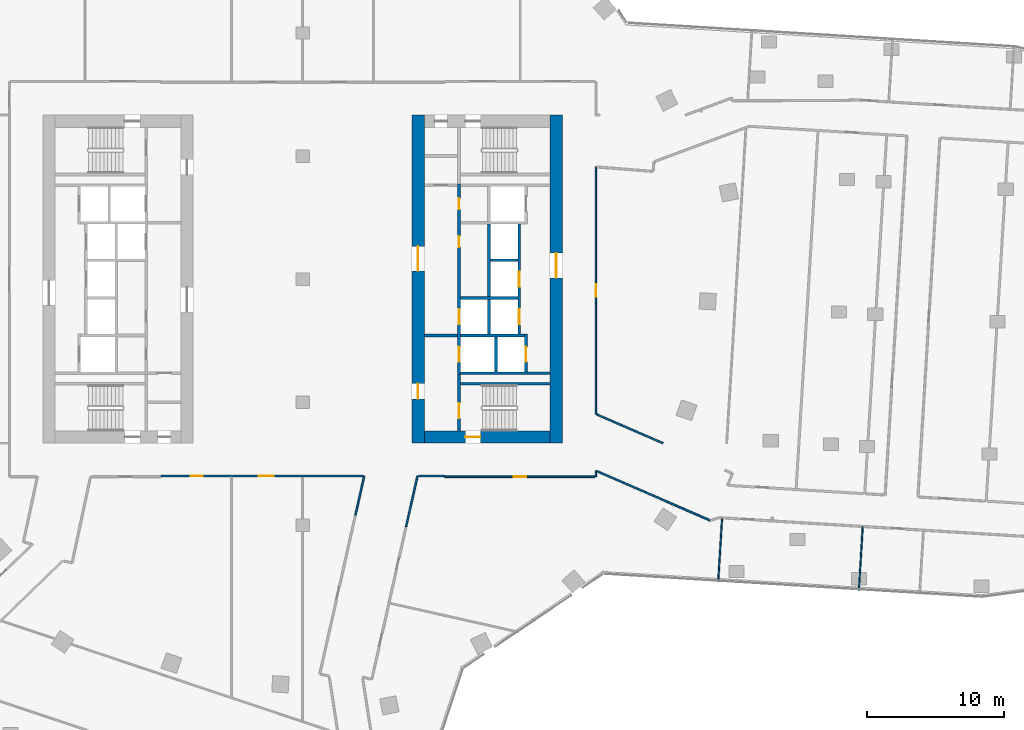
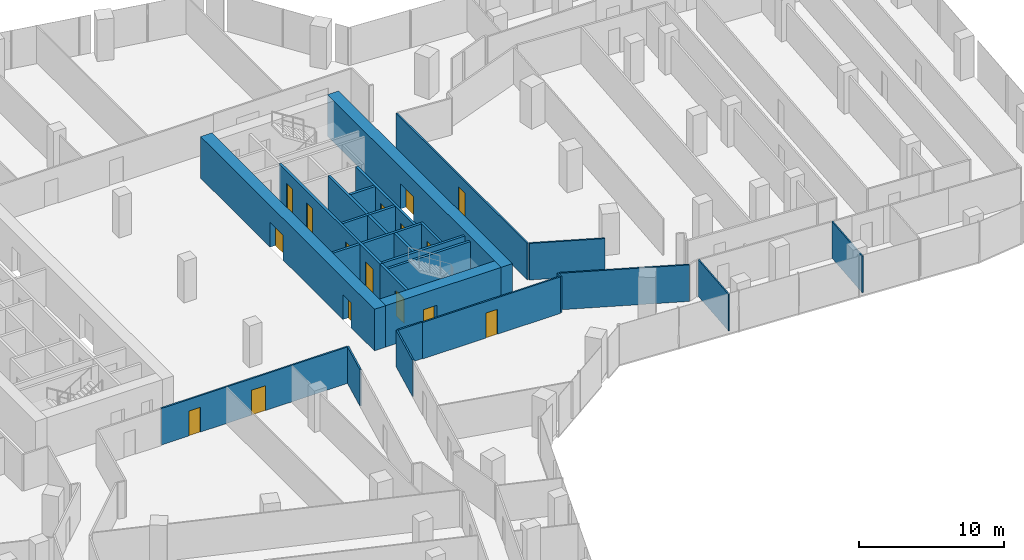
# One storey, part 24 of 32: 27 walls, 16 doors, 16 openings.
"""IFC4 building model written with IfcOpenShell, lengths in metres."""

from ifc_helpers import new_model, si_unit, direction, frame, frame_2d, origin, place, context, subcontext, project, spatial, rectangle, extrude, material, layer, layer_set, type_object, element, fill, save


model = new_model("IFC4")

# Units and contexts
model_context = context("Model", 3, precision=1e-05, world=origin(), true_north=direction((0.0, 1.0)))
body_context = subcontext(model_context, "Body", "Model", "MODEL_VIEW")
ifc_project = project(units=[si_unit("LENGTHUNIT", "METRE"), si_unit("AREAUNIT", "SQUARE_METRE"), si_unit("VOLUMEUNIT", "CUBIC_METRE"), si_unit("PLANEANGLEUNIT", "RADIAN"), si_unit("MASSUNIT", "GRAM", prefix="KILO")], contexts=[model_context])

# Site, building, storey
site_placement = place(None, origin())
site = spatial("IfcSite", under=ifc_project, at=site_placement, CompositionType="ELEMENT")
building_placement = place(site_placement, origin())
building = spatial("IfcBuilding", under=site, at=building_placement, Name="Orlundy Tower", CompositionType="ELEMENT")
storey_placement = place(building_placement, frame((0.0, 0.0, 149.10009765625)))
storey = spatial("IfcBuildingStorey", under=building, at=storey_placement, Name="L38", CompositionType="ELEMENT", Elevation=149.10009765625)

# Wall, opening, door
ifc_material_1 = material(Name="Concrete C70/85", Category="concrete")
ifc_layer_1 = layer(ifc_material_1, 0.89990234375)
ifc_layer_set_1 = layer_set([ifc_layer_1], Name="CORE WALL 900 C70/85")
wall_type_1 = type_object("IfcWallType", Name="CORE WALL 900 C70/85", PredefinedType="SHEAR", material=ifc_layer_set_1)
wall_1_placement = place(storey_placement, frame((8.89990234375, -11.550048828125, 0.0), z_axis=(0.0, 0.0, 1.0), x_axis=(1.0, 0.0, 0.0)))
wall_1 = element("IfcWall", 1, at=wall_1_placement, inside=storey, type_object=wall_type_1, Name="Core wall E-S L38", PredefinedType="SHEAR", context=body_context, shape_type="SweptSolid", body=[
    extrude(rectangle(XDim=9.2001953125, YDim=0.89990234375, at=frame_2d((4.60009765625, 0.0))), origin(), (0.0, 0.0, 1.0), 3.5),
])
opening_1_placement = place(wall_1_placement, frame((3.0, 0.0, 0.0)))
opening_1 = element("IfcOpeningElement", 2, at=opening_1_placement, cuts=wall_1, Name="Opening 29061", PredefinedType="OPENING", context=body_context, shape_type="SweptSolid", body=[
    extrude(rectangle(XDim=1.10009765625, YDim=2.10009765625, at=frame_2d((0.550048828125, 1.050048828125))), frame((0.0, 0.4599609375, 0.0), z_axis=(0.0, -1.0, 0.0), x_axis=(1.0, 0.0, 0.0)), (0.0, 0.0, 1.0), 0.919921875),
])
ifc_material_2 = material(Name="Steel door set", Category="steel")
door_type_1 = type_object("IfcDoorType", Name="Stair Door 1100x2100", OperationType="SINGLE_SWING_LEFT", PredefinedType="DOOR", material=ifc_material_2)
door_1_placement = place(opening_1_placement, origin())
door_1 = element("IfcDoor", 3, at=door_1_placement, inside=storey, type_object=door_type_1, Name="Stair door 29061", OperationType="SINGLE_SWING_LEFT", OverallHeight=2.10009765625, OverallWidth=1.10009765625, PredefinedType="DOOR", context=body_context, shape_type="SweptSolid", body=[
    extrude(rectangle(XDim=1.10009765625, YDim=2.10009765625, at=frame_2d((0.550048828125, 1.050048828125))), frame((0.0, 0.02490234375, 0.0), z_axis=(0.0, -1.0, 0.0), x_axis=(1.0, 0.0, 0.0)), (0.0, 0.0, 1.0), 0.050048828125),
])
fill(opening_1, door_1)

# Wall, openings, doors
wall_2_placement = place(storey_placement, frame((8.449951171875, -12.0, 0.0), z_axis=(0.0, 0.0, 1.0), x_axis=(0.0, 1.0, 0.0)))
wall_2 = element("IfcWall", 4, at=wall_2_placement, inside=storey, type_object=wall_type_1, Name="Core wall E-W L38", PredefinedType="SHEAR", context=body_context, shape_type="SweptSolid", body=[
    extrude(rectangle(XDim=24.0, YDim=0.89990234375, at=frame_2d((12.0, 0.0))), origin(), (0.0, 0.0, 1.0), 3.5),
])
opening_2_placement = place(wall_2_placement, frame((12.60009765625, 0.0, 0.0)))
opening_2 = element("IfcOpeningElement", 5, at=opening_2_placement, cuts=wall_2, Name="Opening 29058", PredefinedType="OPENING", context=body_context, shape_type="SweptSolid", body=[
    extrude(rectangle(XDim=1.800048828125, YDim=2.10009765625, at=frame_2d((0.89990234375, 1.050048828125))), frame((0.0, 0.4599609375, 0.0), z_axis=(0.0, -1.0, 0.0), x_axis=(1.0, 0.0, 0.0)), (0.0, 0.0, 1.0), 0.919921875),
])
opening_3_placement = place(wall_2_placement, frame((3.25, 0.0, 0.0)))
opening_3 = element("IfcOpeningElement", 6, at=opening_3_placement, cuts=wall_2, Name="Opening 29060", PredefinedType="OPENING", context=body_context, shape_type="SweptSolid", body=[
    extrude(rectangle(XDim=1.10009765625, YDim=2.10009765625, at=frame_2d((0.550048828125, 1.050048828125))), frame((0.0, 0.4599609375, 0.0), z_axis=(0.0, -1.0, 0.0), x_axis=(1.0, 0.0, 0.0)), (0.0, 0.0, 1.0), 0.919921875),
])
ifc_material_3 = material(Name="Steel door set", Category="steel")
door_type_2 = type_object("IfcDoorType", Name="Fire-fighting Lobby Door 1100x2100", OperationType="SINGLE_SWING_LEFT", PredefinedType="DOOR", material=ifc_material_3)
door_2_placement = place(opening_3_placement, origin())
door_2 = element("IfcDoor", 7, at=door_2_placement, inside=storey, type_object=door_type_2, Name="Fire-fighting lobby door 29060", OperationType="SINGLE_SWING_LEFT", OverallHeight=2.10009765625, OverallWidth=1.10009765625, PredefinedType="DOOR", context=body_context, shape_type="SweptSolid", body=[
    extrude(rectangle(XDim=1.10009765625, YDim=2.10009765625, at=frame_2d((0.550048828125, 1.050048828125))), frame((0.0, 0.02490234375, 0.0), z_axis=(0.0, -1.0, 0.0), x_axis=(1.0, 0.0, 0.0)), (0.0, 0.0, 1.0), 0.050048828125),
])
fill(opening_3, door_2)
ifc_material_4 = material(Name="Timber door set", Category="wood")
door_type_3 = type_object("IfcDoorType", Name="Lobby Door 1800x2100", OperationType="DOUBLE_DOOR_DOUBLE_SWING", PredefinedType="DOOR", material=ifc_material_4)
door_3_placement = place(opening_2_placement, origin())
door_3 = element("IfcDoor", 8, at=door_3_placement, inside=storey, type_object=door_type_3, Name="Lift lobby door 29058", OperationType="SINGLE_SWING_RIGHT", OverallHeight=2.10009765625, OverallWidth=1.800048828125, PredefinedType="DOOR", context=body_context, shape_type="SweptSolid", body=[
    extrude(rectangle(XDim=1.800048828125, YDim=2.10009765625, at=frame_2d((0.89990234375, 1.050048828125))), frame((0.0, 0.02490234375, 0.0), z_axis=(0.0, -1.0, 0.0), x_axis=(1.0, 0.0, 0.0)), (0.0, 0.0, 1.0), 0.050048828125),
])
fill(opening_2, door_3)

# Wall, opening, door
wall_3_placement = place(storey_placement, frame((18.550048828125, -12.0, 0.0), z_axis=(0.0, 0.0, 1.0), x_axis=(0.0, 1.0, 0.0)))
wall_3 = element("IfcWall", 9, at=wall_3_placement, inside=storey, type_object=wall_type_1, Name="Core wall E-E L38", PredefinedType="SHEAR", context=body_context, shape_type="SweptSolid", body=[
    extrude(rectangle(XDim=24.0, YDim=0.89990234375, at=frame_2d((12.0, 0.0))), origin(), (0.0, 0.0, 1.0), 3.5),
])
opening_4_placement = place(wall_3_placement, frame((12.10009765625, 0.0, 0.0)))
opening_4 = element("IfcOpeningElement", 10, at=opening_4_placement, cuts=wall_3, Name="Opening 29059", PredefinedType="OPENING", context=body_context, shape_type="SweptSolid", body=[
    extrude(rectangle(XDim=1.800048828125, YDim=2.10009765625, at=frame_2d((0.89990234375, 1.050048828125))), frame((0.0, 0.4599609375, 0.0), z_axis=(0.0, -1.0, 0.0), x_axis=(1.0, 0.0, 0.0)), (0.0, 0.0, 1.0), 0.919921875),
])
door_4_placement = place(opening_4_placement, origin())
door_4 = element("IfcDoor", 11, at=door_4_placement, inside=storey, type_object=door_type_3, Name="Lift lobby door 29059", OperationType="SINGLE_SWING_RIGHT", OverallHeight=2.10009765625, OverallWidth=1.800048828125, PredefinedType="DOOR", context=body_context, shape_type="SweptSolid", body=[
    extrude(rectangle(XDim=1.800048828125, YDim=2.10009765625, at=frame_2d((0.89990234375, 1.050048828125))), frame((0.0, 0.02490234375, 0.0), z_axis=(0.0, -1.0, 0.0), x_axis=(1.0, 0.0, 0.0)), (0.0, 0.0, 1.0), 0.050048828125),
])
fill(opening_4, door_4)

# Walls
ifc_material_5 = material(Name="Gypsum board partition")
ifc_layer_2 = layer(ifc_material_5, 0.10009765625)
ifc_layer_set_2 = layer_set([ifc_layer_2], Name="Floor partition 100")
wall_type_2 = type_object("IfcWallType", Name="Floor partition 100", PredefinedType="PARTITIONING", material=ifc_layer_set_2)
wall_4_placement = place(storey_placement, frame((40.68603515625, -22.77587890625, 0.0), z_axis=(0.0, 0.0, 1.0), x_axis=(0.060923886766, 0.998142414699, 0.0)))
element("IfcWall", 12, at=wall_4_placement, inside=storey, type_object=wall_type_2, Name="wall-int-L38-093", PredefinedType="PARTITIONING", context=body_context, shape_type="SweptSolid", body=[
    extrude(rectangle(XDim=4.692626953125, YDim=0.10009765625, at=frame_2d((2.34619140625, 0.0))), origin(), (0.0, 0.0, 1.0), 3.079833984375),
])
wall_5_placement = place(storey_placement, frame((30.39794921875, -22.14697265625, 0.0), z_axis=(0.0, 0.0, 1.0), x_axis=(0.060972554319, 0.998139442974, 0.0)))
element("IfcWall", 13, at=wall_5_placement, inside=storey, type_object=wall_type_2, Name="wall-int-L38-097", PredefinedType="PARTITIONING", context=body_context, shape_type="SweptSolid", body=[
    extrude(rectangle(XDim=4.69287109375, YDim=0.10009765625, at=frame_2d((2.346435546875, 0.0))), origin(), (0.0, 0.0, 1.0), 3.079833984375),
])
ifc_material_6 = material(Name="Gypsum board partition, double layer")
ifc_layer_3 = layer(ifc_material_6, 0.125)
ifc_layer_set_3 = layer_set([ifc_layer_3], Name="Floor partition 125")
wall_type_3 = type_object("IfcWallType", Name="Floor partition 125", PredefinedType="PARTITIONING", material=ifc_layer_set_3)
wall_6_placement = place(storey_placement, frame((21.537109375, -14.050048828125, 0.0), z_axis=(0.0, 0.0, 1.0), x_axis=(0.916891955624, -0.399135492924, 0.0)))
element("IfcWall", 14, at=wall_6_placement, inside=storey, type_object=wall_type_3, Name="wall-int-L38-006", PredefinedType="PARTITIONING", context=body_context, shape_type="SweptSolid", body=[
    extrude(rectangle(XDim=9.027099609375, YDim=0.125, at=frame_2d((4.513671875, 0.0))), origin(), (0.0, 0.0, 1.0), 3.079833984375),
])
wall_7_placement = place(storey_placement, frame((21.537109375, -9.905029296875, 0.0), z_axis=(0.0, 0.0, 1.0), x_axis=(0.916934710252, -0.39903726284, 0.0)))
element("IfcWall", 15, at=wall_7_placement, inside=storey, type_object=wall_type_3, Name="wall-int-L38-007", PredefinedType="PARTITIONING", context=body_context, shape_type="SweptSolid", body=[
    extrude(rectangle(XDim=5.25, YDim=0.125, at=frame_2d((2.625, 0.0))), origin(), (0.0, 0.0, 1.0), 3.079833984375),
])

# Wall, opening, door
wall_8_placement = place(storey_placement, frame((21.386962890625, -14.450927734375, 0.0), z_axis=(0.0, 0.0, 1.0), x_axis=(-1.0, 0.0, 0.0)))
wall_8 = element("IfcWall", 16, at=wall_8_placement, inside=storey, type_object=wall_type_3, Name="wall-int-L38-048", PredefinedType="PARTITIONING", context=body_context, shape_type="SweptSolid", body=[
    extrude(rectangle(XDim=10.995849609375, YDim=0.125, at=frame_2d((5.498046875, 0.0))), origin(), (0.0, 0.0, 1.0), 3.079833984375),
])
opening_5_placement = place(wall_8_placement, frame((5.03759765625, 0.0, 0.0)))
opening_5 = element("IfcOpeningElement", 17, at=opening_5_placement, cuts=wall_8, Name="Opening 29129", PredefinedType="OPENING", context=body_context, shape_type="SweptSolid", body=[
    extrude(rectangle(XDim=0.89990234375, YDim=2.10009765625, at=frame_2d((0.449951171875, 1.050048828125))), frame((0.0, 0.072509765625, 0.0), z_axis=(0.0, -1.0, 0.0), x_axis=(1.0, 0.0, 0.0)), (0.0, 0.0, 1.0), 0.14501953125),
])
ifc_material_7 = material(Name="Timber door leaf", Category="wood")
door_type_4 = type_object("IfcDoorType", Name="Floor door single 900 FD30S", OperationType="NOTDEFINED", PredefinedType="DOOR", material=ifc_material_7)
door_5_placement = place(opening_5_placement, origin())
door_5 = element("IfcDoor", 18, at=door_5_placement, inside=storey, type_object=door_type_4, Name="Door 29129", OperationType="SINGLE_SWING_LEFT", OverallHeight=2.10009765625, OverallWidth=0.89990234375, PredefinedType="DOOR", context=body_context, shape_type="SweptSolid", body=[
    extrude(rectangle(XDim=0.89990234375, YDim=2.10009765625, at=frame_2d((0.449951171875, 1.050048828125))), frame((0.0, 0.02490234375, 0.0), z_axis=(0.0, -1.0, 0.0), x_axis=(1.0, 0.0, 0.0)), (0.0, 0.0, 1.0), 0.050048828125),
])
fill(opening_5, door_5)

# Wall, openings, doors
wall_9_placement = place(storey_placement, frame((4.427001953125, -14.40087890625, 0.0), z_axis=(0.0, 0.0, 1.0), x_axis=(-1.0, 0.0, 0.0)))
wall_9 = element("IfcWall", 19, at=wall_9_placement, inside=storey, type_object=wall_type_3, Name="wall-int-L38-049", PredefinedType="PARTITIONING", context=body_context, shape_type="SweptSolid", body=[
    extrude(rectangle(XDim=14.81689453125, YDim=0.125, at=frame_2d((7.408447265625, 0.0))), origin(), (0.0, 0.0, 1.0), 3.079833984375),
])
opening_6_placement = place(wall_9_placement, frame((11.721923828125, 0.0, 0.0)))
opening_6 = element("IfcOpeningElement", 20, at=opening_6_placement, cuts=wall_9, Name="Opening 29124", PredefinedType="OPENING", context=body_context, shape_type="SweptSolid", body=[
    extrude(rectangle(XDim=0.89990234375, YDim=2.10009765625, at=frame_2d((0.449951171875, 1.050048828125))), frame((0.0, 0.072509765625, 0.0), z_axis=(0.0, -1.0, 0.0), x_axis=(1.0, 0.0, 0.0)), (0.0, 0.0, 1.0), 0.14501953125),
])
opening_7_placement = place(wall_9_placement, frame((6.52685546875, 0.0, 0.0)))
opening_7 = element("IfcOpeningElement", 21, at=opening_7_placement, cuts=wall_9, Name="Opening 29125", PredefinedType="OPENING", context=body_context, shape_type="SweptSolid", body=[
    extrude(rectangle(XDim=1.10009765625, YDim=2.10009765625, at=frame_2d((0.550048828125, 1.050048828125))), frame((0.0, 0.072509765625, 0.0), z_axis=(0.0, -1.0, 0.0), x_axis=(1.0, 0.0, 0.0)), (0.0, 0.0, 1.0), 0.14501953125),
])
door_6_placement = place(opening_6_placement, origin())
door_6 = element("IfcDoor", 22, at=door_6_placement, inside=storey, type_object=door_type_4, Name="Door 29124", OperationType="SINGLE_SWING_RIGHT", OverallHeight=2.10009765625, OverallWidth=0.89990234375, PredefinedType="DOOR", context=body_context, shape_type="SweptSolid", body=[
    extrude(rectangle(XDim=0.89990234375, YDim=2.10009765625, at=frame_2d((0.449951171875, 1.050048828125))), frame((0.0, 0.02490234375, 0.0), z_axis=(0.0, -1.0, 0.0), x_axis=(1.0, 0.0, 0.0)), (0.0, 0.0, 1.0), 0.050048828125),
])
fill(opening_6, door_6)
ifc_material_8 = material(Name="Timber door leaf", Category="wood")
door_type_5 = type_object("IfcDoorType", Name="Floor door xwide 1100 FD30S", OperationType="NOTDEFINED", PredefinedType="DOOR", material=ifc_material_8)
door_7_placement = place(opening_7_placement, origin())
door_7 = element("IfcDoor", 23, at=door_7_placement, inside=storey, type_object=door_type_5, Name="Door 29125", OperationType="SINGLE_SWING_LEFT", OverallHeight=2.10009765625, OverallWidth=1.10009765625, PredefinedType="DOOR", context=body_context, shape_type="SweptSolid", body=[
    extrude(rectangle(XDim=1.10009765625, YDim=2.10009765625, at=frame_2d((0.550048828125, 1.050048828125))), frame((0.0, 0.02490234375, 0.0), z_axis=(0.0, -1.0, 0.0), x_axis=(1.0, 0.0, 0.0)), (0.0, 0.0, 1.0), 0.050048828125),
])
fill(opening_7, door_7)

# Walls
wall_10_placement = place(storey_placement, frame((8.47900390625, -14.40087890625, 0.0), z_axis=(0.0, 0.0, 1.0), x_axis=(1.0, 0.0, 0.0)))
element("IfcWall", 24, at=wall_10_placement, inside=storey, type_object=wall_type_3, Name="wall-int-L38-050", PredefinedType="PARTITIONING", context=body_context, shape_type="SweptSolid", body=[
    extrude(rectangle(XDim=1.912109375, YDim=0.125, at=frame_2d((0.9560546875, 0.0))), origin(), (0.0, 0.0, 1.0), 3.079833984375),
])
wall_11_placement = place(storey_placement, frame((7.569091796875, -18.10693359375, 0.0), z_axis=(0.0, 0.0, 1.0), x_axis=(0.218992134919, 0.975726624031, 0.0)))
element("IfcWall", 25, at=wall_11_placement, inside=storey, type_object=wall_type_3, Name="wall-int-L38-079", PredefinedType="PARTITIONING", context=body_context, shape_type="SweptSolid", body=[
    extrude(rectangle(XDim=3.79833984375, YDim=0.125, at=frame_2d((1.899169921875, 0.0))), origin(), (0.0, 0.0, 1.0), 3.079833984375),
])
wall_12_placement = place(storey_placement, frame((3.860107421875, -17.27392578125, 0.0), z_axis=(0.0, 0.0, 1.0), x_axis=(0.218975515368, 0.975730353976, 0.0)))
element("IfcWall", 26, at=wall_12_placement, inside=storey, type_object=wall_type_3, Name="wall-int-L38-080", PredefinedType="PARTITIONING", context=body_context, shape_type="SweptSolid", body=[
    extrude(rectangle(XDim=2.944580078125, YDim=0.125, at=frame_2d((1.47216796875, 0.0))), origin(), (0.0, 0.0, 1.0), 3.079833984375),
])
wall_13_placement = place(storey_placement, frame((21.449951171875, -14.450927734375, 0.0), z_axis=(0.0, 0.0, 1.0), x_axis=(0.0, 1.0, 0.0)))
element("IfcWall", 27, at=wall_13_placement, inside=storey, type_object=wall_type_3, Name="wall-int-L38-102", PredefinedType="PARTITIONING", context=body_context, shape_type="SweptSolid", body=[
    extrude(rectangle(XDim=0.43896484375, YDim=0.125, at=frame_2d((0.219482421875, 0.0))), origin(), (0.0, 0.0, 1.0), 3.079833984375),
])

# Wall, opening, door
wall_14_placement = place(storey_placement, frame((21.449951171875, 8.2109375, 0.0), z_axis=(0.0, 0.0, 1.0), x_axis=(0.0, -1.0, 0.0)))
wall_14 = element("IfcWall", 28, at=wall_14_placement, inside=storey, type_object=wall_type_3, Name="wall-int-L38-103", PredefinedType="PARTITIONING", context=body_context, shape_type="SweptSolid", body=[
    extrude(rectangle(XDim=18.077880859375, YDim=0.125, at=frame_2d((9.0390625, 0.0))), origin(), (0.0, 0.0, 1.0), 3.079833984375),
])
opening_8_placement = place(wall_14_placement, frame((8.60009765625, 0.0, 0.0)))
opening_8 = element("IfcOpeningElement", 29, at=opening_8_placement, cuts=wall_14, Name="Opening 29130", PredefinedType="OPENING", context=body_context, shape_type="SweptSolid", body=[
    extrude(rectangle(XDim=0.89990234375, YDim=2.10009765625, at=frame_2d((0.449951171875, 1.050048828125))), frame((0.0, 0.072509765625, 0.0), z_axis=(0.0, -1.0, 0.0), x_axis=(1.0, 0.0, 0.0)), (0.0, 0.0, 1.0), 0.14501953125),
])
door_8_placement = place(opening_8_placement, origin())
door_8 = element("IfcDoor", 30, at=door_8_placement, inside=storey, type_object=door_type_4, Name="Door 29130", OperationType="SINGLE_SWING_RIGHT", OverallHeight=2.10009765625, OverallWidth=0.89990234375, PredefinedType="DOOR", context=body_context, shape_type="SweptSolid", body=[
    extrude(rectangle(XDim=0.89990234375, YDim=2.10009765625, at=frame_2d((0.449951171875, 1.050048828125))), frame((0.0, 0.02490234375, 0.0), z_axis=(0.0, -1.0, 0.0), x_axis=(1.0, 0.0, 0.0)), (0.0, 0.0, 1.0), 0.050048828125),
])
fill(opening_8, door_8)

ifc_material_9 = material(Name="Concrete C40/50", Category="concrete")
ifc_layer_4 = layer(ifc_material_9, 0.199951171875)
ifc_layer_set_4 = layer_set([ifc_layer_4], Name="Load-bearing Shaft Wall 200")
wall_type_4 = type_object("IfcWallType", Name="Load-bearing Shaft Wall 200", PredefinedType="SOLIDWALL", material=ifc_layer_set_4)
wall_15_placement = place(storey_placement, frame((11.43994140625, -6.97509765625, 0.0), z_axis=(0.0, 0.0, 1.0), x_axis=(0.0, -1.0, 0.0)))
wall_15 = element("IfcWall", 31, at=wall_15_placement, inside=storey, type_object=wall_type_4, Name="Shaft wall E29-stair-end-n", PredefinedType="SOLIDWALL", context=body_context, shape_type="SweptSolid", body=[
    extrude(rectangle(XDim=4.125, YDim=0.199951171875, at=frame_2d((2.0625, 0.0))), origin(), (0.0, 0.0, 1.0), 3.08984375),
])
opening_9_placement = place(wall_15_placement, frame((2.10009765625, 0.0, 0.0)))
opening_9 = element("IfcOpeningElement", 32, at=opening_9_placement, cuts=wall_15, Name="Opening 29063", PredefinedType="OPENING", context=body_context, shape_type="SweptSolid", body=[
    extrude(rectangle(XDim=1.10009765625, YDim=2.10009765625, at=frame_2d((0.550048828125, 1.050048828125))), frame((0.0, 0.110107421875, 0.0), z_axis=(0.0, -1.0, 0.0), x_axis=(1.0, 0.0, 0.0)), (0.0, 0.0, 1.0), 0.22021484375),
])
door_9_placement = place(opening_9_placement, origin())
door_9 = element("IfcDoor", 33, at=door_9_placement, inside=storey, type_object=door_type_2, Name="Fire-fighting lobby to stair door 29063", OperationType="SINGLE_SWING_RIGHT", OverallHeight=2.10009765625, OverallWidth=1.10009765625, PredefinedType="DOOR", context=body_context, shape_type="SweptSolid", body=[
    extrude(rectangle(XDim=1.10009765625, YDim=2.10009765625, at=frame_2d((0.550048828125, 1.050048828125))), frame((0.0, 0.02490234375, 0.0), z_axis=(0.0, -1.0, 0.0), x_axis=(1.0, 0.0, 0.0)), (0.0, 0.0, 1.0), 0.050048828125),
])
fill(opening_9, door_9)

# Walls
wall_16_placement = place(storey_placement, frame((11.5400390625, -7.64990234375, 0.0), z_axis=(0.0, 0.0, 1.0), x_axis=(1.0, 0.0, 0.0)))
element("IfcWall", 34, at=wall_16_placement, inside=storey, type_object=wall_type_4, Name="Shaft wall E29-stair-side-n", PredefinedType="SOLIDWALL", context=body_context, shape_type="SweptSolid", body=[
    extrude(rectangle(XDim=6.56005859375, YDim=0.199951171875, at=frame_2d((3.280029296875, 0.0))), origin(), (0.0, 0.0, 1.0), 3.08984375),
])
ifc_material_10 = material(Name="Gypsum board partition on steel studs", Category="steel")
ifc_layer_5 = layer(ifc_material_10, 0.199951171875)
ifc_layer_set_5 = layer_set([ifc_layer_5], Name="Partition 200")
wall_type_5 = type_object("IfcWallType", Name="Partition 200", PredefinedType="PARTITIONING", material=ifc_layer_set_5)
wall_17_placement = place(storey_placement, frame((8.89990234375, -4.125, 0.0), z_axis=(0.0, 0.0, 1.0), x_axis=(1.0, 0.0, 0.0)))
element("IfcWall", 35, at=wall_17_placement, inside=storey, type_object=wall_type_5, Name="Partition wall E29-lobby-n", PredefinedType="PARTITIONING", context=body_context, shape_type="SweptSolid", body=[
    extrude(rectangle(XDim=2.440185546875, YDim=0.199951171875, at=frame_2d((1.22021484375, 0.0))), origin(), (0.0, 0.0, 1.0), 3.08984375),
])
ifc_material_11 = material(Name="Fire-rated blockwork shaft wall", Category="masonry")
ifc_layer_6 = layer(ifc_material_11, 0.199951171875)
ifc_layer_set_6 = layer_set([ifc_layer_6], Name="Shaft Wall 200")
wall_type_6 = type_object("IfcWallType", Name="Shaft Wall 200", PredefinedType="SOLIDWALL", material=ifc_layer_set_6)
wall_18_placement = place(storey_placement, frame((11.5400390625, -6.875, 0.0), z_axis=(0.0, 0.0, 1.0), x_axis=(1.0, 0.0, 0.0)))
element("IfcWall", 36, at=wall_18_placement, inside=storey, type_object=wall_type_6, Name="Shaft wall E29-zone-n", PredefinedType="SOLIDWALL", context=body_context, shape_type="SweptSolid", body=[
    extrude(rectangle(XDim=6.56005859375, YDim=0.199951171875, at=frame_2d((3.280029296875, 0.0))), origin(), (0.0, 0.0, 1.0), 3.08984375),
])
wall_19_placement = place(storey_placement, frame((13.739990234375, 1.375, 0.0), z_axis=(0.0, 0.0, 1.0), x_axis=(1.0, 0.0, 0.0)))
element("IfcWall", 37, at=wall_19_placement, inside=storey, type_object=wall_type_6, Name="Shaft wall E29-cross-1.375", PredefinedType="SOLIDWALL", context=body_context, shape_type="SweptSolid", body=[
    extrude(rectangle(XDim=2.0, YDim=0.199951171875, at=frame_2d((1.0, 0.0))), origin(), (0.0, 0.0, 1.0), 3.08984375),
])
wall_20_placement = place(storey_placement, frame((11.5400390625, -1.375, 0.0), z_axis=(0.0, 0.0, 1.0), x_axis=(1.0, 0.0, 0.0)))
element("IfcWall", 38, at=wall_20_placement, inside=storey, type_object=wall_type_6, Name="Shaft wall E29-cross+1.375", PredefinedType="SOLIDWALL", context=body_context, shape_type="SweptSolid", body=[
    extrude(rectangle(XDim=4.199951171875, YDim=0.199951171875, at=frame_2d((2.10009765625, 0.0))), origin(), (0.0, 0.0, 1.0), 3.08984375),
])
wall_21_placement = place(storey_placement, frame((11.5400390625, -4.125, 0.0), z_axis=(0.0, 0.0, 1.0), x_axis=(1.0, 0.0, 0.0)))
element("IfcWall", 39, at=wall_21_placement, inside=storey, type_object=wall_type_6, Name="Shaft wall E29-cross+4.125", PredefinedType="SOLIDWALL", context=body_context, shape_type="SweptSolid", body=[
    extrude(rectangle(XDim=4.699951171875, YDim=0.199951171875, at=frame_2d((2.35009765625, 0.0))), origin(), (0.0, 0.0, 1.0), 3.08984375),
])

# Wall, openings, doors
wall_22_placement = place(storey_placement, frame((11.43994140625, 6.97509765625, 0.0), z_axis=(0.0, 0.0, 1.0), x_axis=(0.0, -1.0, 0.0)))
wall_22 = element("IfcWall", 40, at=wall_22_placement, inside=storey, type_object=wall_type_6, Name="Shaft wall E29-front-h", PredefinedType="SOLIDWALL", context=body_context, shape_type="SweptSolid", body=[
    extrude(rectangle(XDim=13.9501953125, YDim=0.199951171875, at=frame_2d((6.97509765625, 0.0))), origin(), (0.0, 0.0, 1.0), 3.08984375),
])
opening_10_placement = place(wall_22_placement, frame((9.175048828125, 0.0, 0.0)))
opening_10 = element("IfcOpeningElement", 41, at=opening_10_placement, cuts=wall_22, Name="Opening 29052", PredefinedType="OPENING", context=body_context, shape_type="SweptSolid", body=[
    extrude(rectangle(XDim=1.10009765625, YDim=2.10009765625, at=frame_2d((0.550048828125, 1.050048828125))), frame((0.0, 0.110107421875, 0.0), z_axis=(0.0, -1.0, 0.0), x_axis=(1.0, 0.0, 0.0)), (0.0, 0.0, 1.0), 0.22021484375),
])
opening_11_placement = place(wall_22_placement, frame((11.925048828125, 0.0, 0.0)))
opening_11 = element("IfcOpeningElement", 42, at=opening_11_placement, cuts=wall_22, Name="Opening 29054", PredefinedType="OPENING", context=body_context, shape_type="SweptSolid", body=[
    extrude(rectangle(XDim=1.10009765625, YDim=2.10009765625, at=frame_2d((0.550048828125, 1.050048828125))), frame((0.0, 0.110107421875, 0.0), z_axis=(0.0, -1.0, 0.0), x_axis=(1.0, 0.0, 0.0)), (0.0, 0.0, 1.0), 0.22021484375),
])
opening_12_placement = place(wall_22_placement, frame((1.074951171875, 0.0, 0.0)))
opening_12 = element("IfcOpeningElement", 43, at=opening_12_placement, cuts=wall_22, Name="Opening 29056", PredefinedType="OPENING", context=body_context, shape_type="SweptSolid", body=[
    extrude(rectangle(XDim=0.800048828125, YDim=2.10009765625, at=frame_2d((0.39990234375, 1.050048828125))), frame((0.0, 0.110107421875, 0.0), z_axis=(0.0, -1.0, 0.0), x_axis=(1.0, 0.0, 0.0)), (0.0, 0.0, 1.0), 0.22021484375),
])
opening_13_placement = place(wall_22_placement, frame((3.824951171875, 0.0, 0.0)))
opening_13 = element("IfcOpeningElement", 44, at=opening_13_placement, cuts=wall_22, Name="Opening 29057", PredefinedType="OPENING", context=body_context, shape_type="SweptSolid", body=[
    extrude(rectangle(XDim=0.800048828125, YDim=2.10009765625, at=frame_2d((0.39990234375, 1.050048828125))), frame((0.0, 0.110107421875, 0.0), z_axis=(0.0, -1.0, 0.0), x_axis=(1.0, 0.0, 0.0)), (0.0, 0.0, 1.0), 0.22021484375),
])
ifc_material_12 = material(Name="Steel door set", Category="steel")
door_type_6 = type_object("IfcDoorType", Name="Landing Door 1100x2100", OperationType="DOUBLE_DOOR_SLIDING", PredefinedType="DOOR", material=ifc_material_12)
door_10_placement = place(opening_10_placement, origin())
door_10 = element("IfcDoor", 45, at=door_10_placement, inside=storey, type_object=door_type_6, Name="Lift landing door LP-16 29052", OperationType="DOUBLE_DOOR_SLIDING", OverallHeight=2.10009765625, OverallWidth=1.10009765625, PredefinedType="DOOR", context=body_context, shape_type="SweptSolid", body=[
    extrude(rectangle(XDim=1.10009765625, YDim=2.10009765625, at=frame_2d((0.550048828125, 1.050048828125))), frame((0.0, 0.02490234375, 0.0), z_axis=(0.0, -1.0, 0.0), x_axis=(1.0, 0.0, 0.0)), (0.0, 0.0, 1.0), 0.050048828125),
])
fill(opening_10, door_10)
door_11_placement = place(opening_11_placement, origin())
door_11 = element("IfcDoor", 46, at=door_11_placement, inside=storey, type_object=door_type_6, Name="Lift landing door FL2 29054", OperationType="DOUBLE_DOOR_SLIDING", OverallHeight=2.10009765625, OverallWidth=1.10009765625, PredefinedType="DOOR", context=body_context, shape_type="SweptSolid", body=[
    extrude(rectangle(XDim=1.10009765625, YDim=2.10009765625, at=frame_2d((0.550048828125, 1.050048828125))), frame((0.0, 0.02490234375, 0.0), z_axis=(0.0, -1.0, 0.0), x_axis=(1.0, 0.0, 0.0)), (0.0, 0.0, 1.0), 0.050048828125),
])
fill(opening_11, door_11)
ifc_material_13 = material(Name="Timber door set", Category="wood")
door_type_7 = type_object("IfcDoorType", Name="Riser Door 800x2100", OperationType="SINGLE_SWING_LEFT", PredefinedType="DOOR", material=ifc_material_13)
door_12_placement = place(opening_12_placement, origin())
door_12 = element("IfcDoor", 47, at=door_12_placement, inside=storey, type_object=door_type_7, Name="Telecom Room door 29056", OperationType="SINGLE_SWING_LEFT", OverallHeight=2.10009765625, OverallWidth=0.800048828125, PredefinedType="DOOR", context=body_context, shape_type="SweptSolid", body=[
    extrude(rectangle(XDim=0.800048828125, YDim=2.10009765625, at=frame_2d((0.39990234375, 1.050048828125))), frame((0.0, 0.02490234375, 0.0), z_axis=(0.0, -1.0, 0.0), x_axis=(1.0, 0.0, 0.0)), (0.0, 0.0, 1.0), 0.050048828125),
])
fill(opening_12, door_12)
door_13_placement = place(opening_13_placement, origin())
door_13 = element("IfcDoor", 48, at=door_13_placement, inside=storey, type_object=door_type_7, Name="Linen Store door 29057", OperationType="SINGLE_SWING_LEFT", OverallHeight=2.10009765625, OverallWidth=0.800048828125, PredefinedType="DOOR", context=body_context, shape_type="SweptSolid", body=[
    extrude(rectangle(XDim=0.800048828125, YDim=2.10009765625, at=frame_2d((0.39990234375, 1.050048828125))), frame((0.0, 0.02490234375, 0.0), z_axis=(0.0, -1.0, 0.0), x_axis=(1.0, 0.0, 0.0)), (0.0, 0.0, 1.0), 0.050048828125),
])
fill(opening_13, door_13)

# Walls
wall_23_placement = place(storey_placement, frame((13.639892578125, 4.02490234375, 0.0), z_axis=(0.0, 0.0, 1.0), x_axis=(0.0, -1.0, 0.0)))
element("IfcWall", 49, at=wall_23_placement, inside=storey, type_object=wall_type_6, Name="Shaft wall E29-mid-a.1", PredefinedType="SOLIDWALL", context=body_context, shape_type="SweptSolid", body=[
    extrude(rectangle(XDim=5.2998046875, YDim=0.199951171875, at=frame_2d((2.64990234375, 0.0))), origin(), (0.0, 0.0, 1.0), 3.08984375),
])
for number, where, z_axis, x_axis, name in (
    (50, (13.639892578125, -1.47509765625, 0.0), (0.0, 0.0, 1.0), (0.0, -1.0, 0.0), "Shaft wall E29-mid-a.2"),
    (51, (14.139892578125, -4.22509765625, 0.0), (0.0, 0.0, 1.0), (0.0, -1.0, 0.0), "Shaft wall E29-mid-b"),
):
    element("IfcWall", number, at=place(storey_placement, frame(where, z_axis=z_axis, x_axis=x_axis)), inside=storey, type_object=wall_type_6, Name=name, PredefinedType="SOLIDWALL", context=body_context, shape_type="SweptSolid", body=[
        extrude(rectangle(XDim=2.5498046875, YDim=0.199951171875, at=frame_2d((1.27490234375, 0.0))), origin(), (0.0, 0.0, 1.0), 3.08984375),
    ])

# Wall, openings, doors
wall_24_placement = place(storey_placement, frame((15.840087890625, 4.02490234375, 0.0), z_axis=(0.0, 0.0, 1.0), x_axis=(0.0, -1.0, 0.0)))
wall_24 = element("IfcWall", 52, at=wall_24_placement, inside=storey, type_object=wall_type_6, Name="Shaft wall E29-front-o-b", PredefinedType="SOLIDWALL", context=body_context, shape_type="SweptSolid", body=[
    extrude(rectangle(XDim=8.0498046875, YDim=0.199951171875, at=frame_2d((4.02490234375, 0.0))), origin(), (0.0, 0.0, 1.0), 3.08984375),
])
opening_14_placement = place(wall_24_placement, frame((3.47509765625, 0.0, 0.0)))
opening_14 = element("IfcOpeningElement", 53, at=opening_14_placement, cuts=wall_24, Name="Opening 29051", PredefinedType="OPENING", context=body_context, shape_type="SweptSolid", body=[
    extrude(rectangle(XDim=1.10009765625, YDim=2.10009765625, at=frame_2d((0.550048828125, 1.050048828125))), frame((0.0, 0.110107421875, 0.0), z_axis=(0.0, -1.0, 0.0), x_axis=(1.0, 0.0, 0.0)), (0.0, 0.0, 1.0), 0.22021484375),
])
opening_15_placement = place(wall_24_placement, frame((6.22509765625, 0.0, 0.0)))
opening_15 = element("IfcOpeningElement", 54, at=opening_15_placement, cuts=wall_24, Name="Opening 29053", PredefinedType="OPENING", context=body_context, shape_type="SweptSolid", body=[
    extrude(rectangle(XDim=1.10009765625, YDim=2.10009765625, at=frame_2d((0.550048828125, 1.050048828125))), frame((0.0, 0.110107421875, 0.0), z_axis=(0.0, -1.0, 0.0), x_axis=(1.0, 0.0, 0.0)), (0.0, 0.0, 1.0), 0.22021484375),
])
door_14_placement = place(opening_14_placement, origin())
door_14 = element("IfcDoor", 55, at=door_14_placement, inside=storey, type_object=door_type_6, Name="Lift landing door LP-15 29051", OperationType="DOUBLE_DOOR_SLIDING", OverallHeight=2.10009765625, OverallWidth=1.10009765625, PredefinedType="DOOR", context=body_context, shape_type="SweptSolid", body=[
    extrude(rectangle(XDim=1.10009765625, YDim=2.10009765625, at=frame_2d((0.550048828125, 1.050048828125))), frame((0.0, 0.02490234375, 0.0), z_axis=(0.0, -1.0, 0.0), x_axis=(1.0, 0.0, 0.0)), (0.0, 0.0, 1.0), 0.050048828125),
])
fill(opening_14, door_14)
door_15_placement = place(opening_15_placement, origin())
door_15 = element("IfcDoor", 56, at=door_15_placement, inside=storey, type_object=door_type_6, Name="Lift landing door LP-17 29053", OperationType="DOUBLE_DOOR_SLIDING", OverallHeight=2.10009765625, OverallWidth=1.10009765625, PredefinedType="DOOR", context=body_context, shape_type="SweptSolid", body=[
    extrude(rectangle(XDim=1.10009765625, YDim=2.10009765625, at=frame_2d((0.550048828125, 1.050048828125))), frame((0.0, 0.02490234375, 0.0), z_axis=(0.0, -1.0, 0.0), x_axis=(1.0, 0.0, 0.0)), (0.0, 0.0, 1.0), 0.050048828125),
])
fill(opening_15, door_15)

# Wall, opening, door
wall_25_placement = place(storey_placement, frame((16.340087890625, -4.02490234375, 0.0), z_axis=(0.0, 0.0, 1.0), x_axis=(0.0, -1.0, 0.0)))
wall_25 = element("IfcWall", 57, at=wall_25_placement, inside=storey, type_object=wall_type_6, Name="Shaft wall E29-front-o-c", PredefinedType="SOLIDWALL", context=body_context, shape_type="SweptSolid", body=[
    extrude(rectangle(XDim=2.75, YDim=0.199951171875, at=frame_2d((1.375, 0.0))), origin(), (0.0, 0.0, 1.0), 3.08984375),
])
opening_16_placement = place(wall_25_placement, frame((0.925048828125, 0.0, 0.0)))
opening_16 = element("IfcOpeningElement", 58, at=opening_16_placement, cuts=wall_25, Name="Opening 29055", PredefinedType="OPENING", context=body_context, shape_type="SweptSolid", body=[
    extrude(rectangle(XDim=1.10009765625, YDim=2.10009765625, at=frame_2d((0.550048828125, 1.050048828125))), frame((0.0, 0.110107421875, 0.0), z_axis=(0.0, -1.0, 0.0), x_axis=(1.0, 0.0, 0.0)), (0.0, 0.0, 1.0), 0.22021484375),
])
door_16_placement = place(opening_16_placement, origin())
door_16 = element("IfcDoor", 59, at=door_16_placement, inside=storey, type_object=door_type_6, Name="Lift landing door LP-18 29055", OperationType="DOUBLE_DOOR_SLIDING", OverallHeight=2.10009765625, OverallWidth=1.10009765625, PredefinedType="DOOR", context=body_context, shape_type="SweptSolid", body=[
    extrude(rectangle(XDim=1.10009765625, YDim=2.10009765625, at=frame_2d((0.550048828125, 1.050048828125))), frame((0.0, 0.02490234375, 0.0), z_axis=(0.0, -1.0, 0.0), x_axis=(1.0, 0.0, 0.0)), (0.0, 0.0, 1.0), 0.050048828125),
])
fill(opening_16, door_16)

save(model, "model.ifc")
